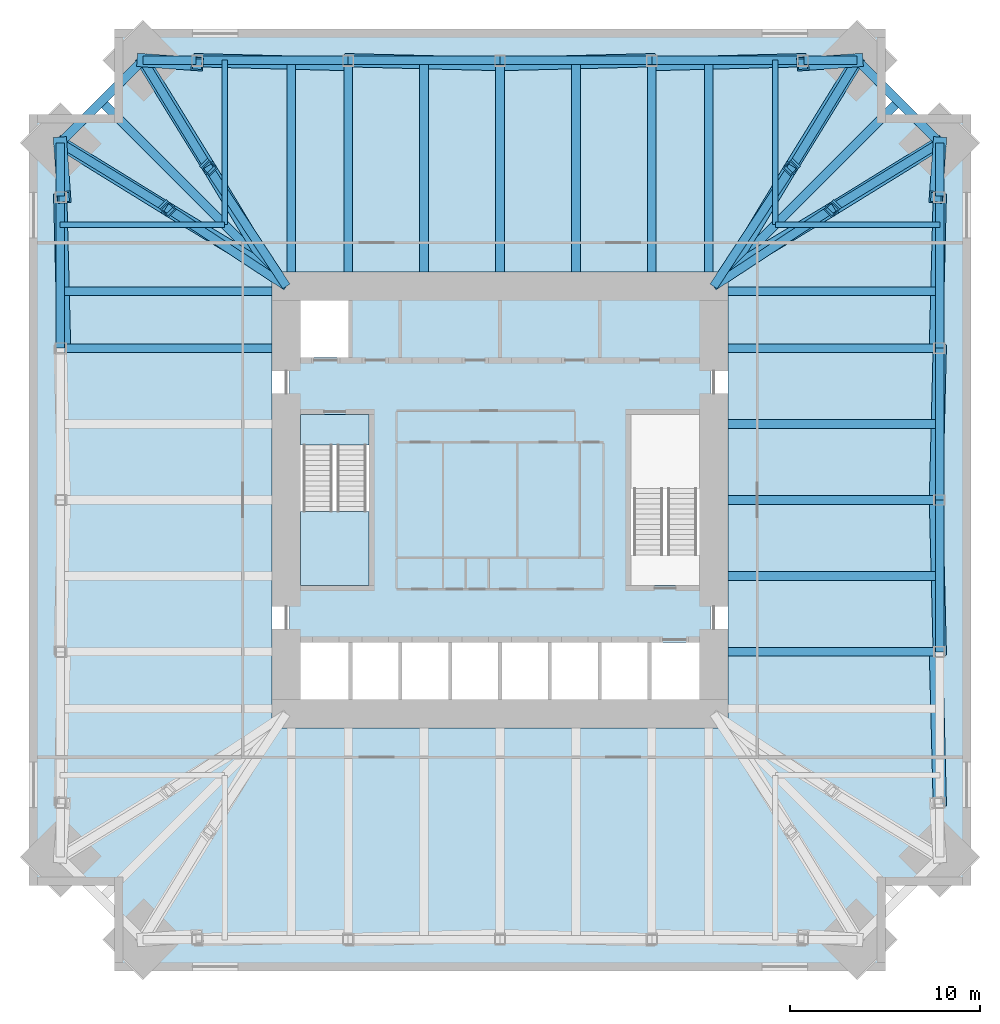
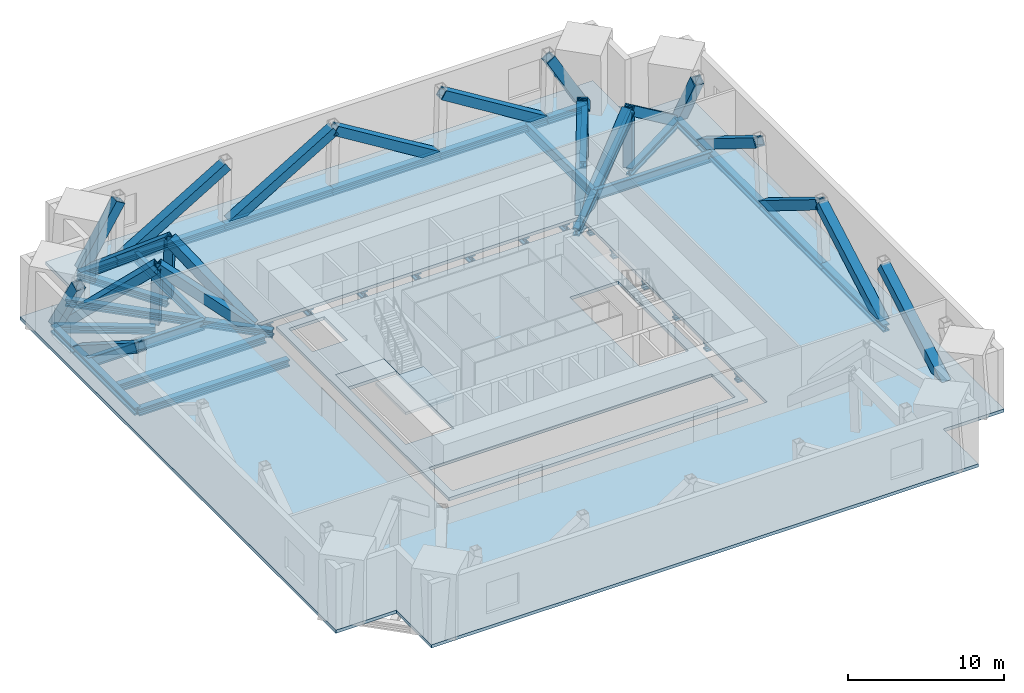
# One storey, part 2 of 6: 45 members, 23 beams, 4 slabs, 1 element without a shape of its own.
"""IFC4 building model written with IfcOpenShell, lengths in metres."""

from ifc_helpers import new_model, si_unit, direction, frame, origin, origin_2d, place, context, subcontext, project, spatial, polyline, hollow_rectangle, i_section, outline, extrude, material, layer, layer_set, material_profile, profile_set, type_object, element, aggregate, save


model = new_model("IFC4")

# Units and contexts
model_context = context("Model", 3, precision=1e-05, world=origin(), true_north=direction((0.0, 1.0)))
body_context = subcontext(model_context, "Body", "Model", "MODEL_VIEW")
ifc_project = project(units=[si_unit("LENGTHUNIT", "METRE"), si_unit("AREAUNIT", "SQUARE_METRE"), si_unit("VOLUMEUNIT", "CUBIC_METRE"), si_unit("PLANEANGLEUNIT", "RADIAN"), si_unit("MASSUNIT", "GRAM", prefix="KILO")], contexts=[model_context])

# Site, building, storey
site_placement = place(None, origin())
site = spatial("IfcSite", under=ifc_project, at=site_placement, CompositionType="ELEMENT")
building_placement = place(site_placement, origin())
building = spatial("IfcBuilding", under=site, at=building_placement, Name="Peilmerk Tower", CompositionType="ELEMENT")
storey_placement = place(building_placement, frame((0.0, 0.0, 191.800048828125)))
storey = spatial("IfcBuildingStorey", under=building, at=storey_placement, Name="L41", CompositionType="ELEMENT", Elevation=191.800048828125)

# Beams
ifc_material_1 = material(Name="Steel S460", Category="steel")
ifc_material_profile_1 = material_profile(ifc_material_1, i_section(OverallWidth=0.4541015625, OverallDepth=0.569091796875, WebThickness=0.077880859375, FlangeThickness=0.125, at=origin_2d()), Name="HD 400x1086")
ifc_profile_set_1 = profile_set([ifc_material_profile_1], Name="Steel S460")
beam_type_1 = type_object("IfcBeamType", Name="B17 HD 400x1086 edge beam", PredefinedType="SPANDREL", material=ifc_profile_set_1)
for number, where, z_axis, x_axis, name in (
    (1, (18.81298828125, 23.162841796875, -0.53466796875), (0.707106781187, -0.707106781187, 0.0), (0.707106781187, 0.707106781187, 0.0), "Notch beam L41"),
    (2, (-23.162841796875, 18.81298828125, -0.53466796875), (0.707106781187, 0.707106781187, 0.0), (-0.707106781187, 0.707106781187, 0.0), "Notch beam L41"),
):
    element("IfcBeam", number, at=place(storey_placement, frame(where, z_axis=z_axis, x_axis=x_axis)), inside=storey, type_object=beam_type_1, Name=name, PredefinedType="SPANDREL", context=body_context, shape_type="SweptSolid", body=[
        extrude(i_section(OverallWidth=0.4541015625, OverallDepth=0.569091796875, WebThickness=0.077880859375, FlangeThickness=0.125, at=origin_2d()), origin(), (0.0, 0.0, 1.0), 6.151611328125),
    ])
ifc_material_profile_2 = material_profile(ifc_material_1, i_section(OverallWidth=0.302978515625, OverallDepth=0.81396484375, WebThickness=0.02099609375, FlangeThickness=0.0400390625, at=origin_2d()), Name="HEM 800")
ifc_profile_set_2 = profile_set([ifc_material_profile_2], Name="Steel S460")
beam_type_2 = type_object("IfcBeamType", Name="B26 HEM 800 floor beam", PredefinedType="BEAM", material=ifc_profile_set_2)
for number, where, z_axis, x_axis, name in (
    (3, (14.5, 14.5, -0.656982421875), (0.0, 1.0, 0.0), (-1.0, 0.0, 0.0), "Floor beam L41"),
    (4, (14.5, 14.5, -0.656982421875), (1.0, 0.0, 0.0), (0.0, 1.0, 0.0), "Floor beam L41"),
    (5, (-14.5, 14.5, -0.656982421875), (0.0, 1.0, 0.0), (-1.0, 0.0, 0.0), "Floor beam L41"),
    (6, (-14.5, 14.5, -0.656982421875), (-1.0, 0.0, 0.0), (0.0, -1.0, 0.0), "Floor beam L41"),
):
    element("IfcBeam", number, at=place(storey_placement, frame(where, z_axis=z_axis, x_axis=x_axis)), inside=storey, type_object=beam_type_2, Name=name, PredefinedType="BEAM", context=body_context, shape_type="SweptSolid", body=[
        extrude(i_section(OverallWidth=0.302978515625, OverallDepth=0.81396484375, WebThickness=0.02099609375, FlangeThickness=0.0400390625, at=origin_2d()), origin(), (0.0, 0.0, 1.0), 8.662841796875),
    ])
ifc_material_profile_3 = material_profile(ifc_material_1, i_section(OverallWidth=0.4541015625, OverallDepth=0.569091796875, WebThickness=0.077880859375, FlangeThickness=0.125, at=origin_2d()), Name="HD 400x1086")
ifc_profile_set_3 = profile_set([ifc_material_profile_3], Name="Steel S460")
beam_type_3 = type_object("IfcBeamType", Name="B9 HD 400x1086 corner girder", PredefinedType="BEAM", material=ifc_profile_set_3)
for number, where, z_axis, x_axis, name in (
    (7, (11.0, 12.0, -0.53466796875), (0.0, 1.0, 0.0), (-1.0, 0.0, 0.0), "Floor beam L41"),
    (8, (8.0, 12.0, -0.53466796875), (0.0, 1.0, 0.0), (-1.0, 0.0, 0.0), "Floor beam L41"),
    (9, (4.0, 12.0, -0.53466796875), (0.0, 1.0, 0.0), (-1.0, 0.0, 0.0), "Floor beam L41"),
    (10, (0.0, 12.0, -0.53466796875), (0.0, 1.0, 0.0), (-1.0, 0.0, 0.0), "Floor beam L41"),
    (11, (-4.0, 12.0, -0.53466796875), (0.0, 1.0, 0.0), (-1.0, 0.0, 0.0), "Floor beam L41"),
    (12, (-8.0, 12.0, -0.53466796875), (0.0, 1.0, 0.0), (-1.0, 0.0, 0.0), "Floor beam L41"),
    (13, (-11.0, 12.0, -0.53466796875), (0.0, 1.0, 0.0), (-1.0, 0.0, 0.0), "Floor beam L41"),
    (14, (12.0, -8.0, -0.53466796875), (1.0, 0.0, 0.0), (0.0, 1.0, 0.0), "Floor beam L41"),
    (15, (12.0, -4.0, -0.53466796875), (1.0, 0.0, 0.0), (0.0, 1.0, 0.0), "Floor beam L41"),
    (16, (12.0, 0.0, -0.53466796875), (1.0, 0.0, 0.0), (0.0, 1.0, 0.0), "Floor beam L41"),
    (17, (12.0, 4.0, -0.53466796875), (1.0, 0.0, 0.0), (0.0, 1.0, 0.0), "Floor beam L41"),
    (18, (12.0, 8.0, -0.53466796875), (1.0, 0.0, 0.0), (0.0, 1.0, 0.0), "Floor beam L41"),
    (19, (12.0, 11.0, -0.53466796875), (1.0, 0.0, 0.0), (0.0, 1.0, 0.0), "Floor beam L41"),
    (20, (-12.0, 11.0, -0.53466796875), (-1.0, 0.0, 0.0), (0.0, -1.0, 0.0), "Floor beam L41"),
    (21, (-12.0, 8.0, -0.53466796875), (-1.0, 0.0, 0.0), (0.0, -1.0, 0.0), "Floor beam L41"),
):
    element("IfcBeam", number, at=place(storey_placement, frame(where, z_axis=z_axis, x_axis=x_axis)), inside=storey, type_object=beam_type_3, Name=name, PredefinedType="BEAM", context=body_context, shape_type="SweptSolid", body=[
        extrude(i_section(OverallWidth=0.4541015625, OverallDepth=0.569091796875, WebThickness=0.077880859375, FlangeThickness=0.125, at=origin_2d()), origin(), (0.0, 0.0, 1.0), 11.162841796875),
    ])
for number, where, z_axis, x_axis, name in (
    (22, (11.25, 11.25, -0.53466796875), (0.707106781187, 0.707106781187, 0.0), (-0.707106781187, 0.707106781187, 0.0), "Corner girder L41"),
    (23, (-11.25, 11.25, -0.53466796875), (-0.707106781187, 0.707106781187, 0.0), (-0.707106781187, -0.707106781187, 0.0), "Corner girder L41"),
):
    element("IfcBeam", number, at=place(storey_placement, frame(where, z_axis=z_axis, x_axis=x_axis)), inside=storey, type_object=beam_type_3, Name=name, PredefinedType="BEAM", context=body_context, shape_type="SweptSolid", body=[
        extrude(i_section(OverallWidth=0.4541015625, OverallDepth=0.569091796875, WebThickness=0.077880859375, FlangeThickness=0.125, at=origin_2d()), origin(), (0.0, 0.0, 1.0), 13.771240234375),
    ])

# Members
ifc_material_profile_4 = material_profile(ifc_material_1, i_section(OverallWidth=0.4541015625, OverallDepth=0.569091796875, WebThickness=0.077880859375, FlangeThickness=0.125, at=origin_2d()), Name="HD 400x1086")
ifc_profile_set_4 = profile_set([ifc_material_profile_4], Name="Steel S460")
member_type_1 = type_object("IfcMemberType", Name="M1 HD 400x1086 belt truss chord", PredefinedType="CHORD", material=ifc_profile_set_4)
member_1_placement = place(storey_placement, frame((18.81298828125, 23.162841796875, -0.53466796875), z_axis=(-1.0, 0.0, 0.0), x_axis=(0.0, -1.0, 0.0)))
element("IfcMember", 24, at=member_1_placement, inside=storey, type_object=member_type_1, Name="Belt truss chord L41", PredefinedType="CHORD", context=body_context, shape_type="SweptSolid", body=[
    extrude(i_section(OverallWidth=0.4541015625, OverallDepth=0.569091796875, WebThickness=0.077880859375, FlangeThickness=0.125, at=origin_2d()), origin(), (0.0, 0.0, 1.0), 2.81298828125),
])
member_2_placement = place(storey_placement, frame((15.949951171875, 23.162841796875, -0.53466796875), z_axis=(-1.0, 0.0, 0.0), x_axis=(0.0, -1.0, 0.0)))
element("IfcMember", 25, at=member_2_placement, inside=storey, type_object=member_type_1, Name="Belt truss chord L41", PredefinedType="CHORD", context=body_context, shape_type="SweptSolid", body=[
    extrude(i_section(OverallWidth=0.4541015625, OverallDepth=0.569091796875, WebThickness=0.077880859375, FlangeThickness=0.125, at=origin_2d()), origin(), (0.0, 0.0, 1.0), 7.949951171875),
])
for number, where, z_axis, x_axis, name in (
    (26, (8.0, 23.162841796875, -0.53466796875), (-1.0, 0.0, 0.0), (0.0, -1.0, 0.0), "Belt truss chord L41"),
    (27, (0.0, 23.162841796875, -0.53466796875), (-1.0, 0.0, 0.0), (0.0, -1.0, 0.0), "Belt truss chord L41"),
):
    element("IfcMember", number, at=place(storey_placement, frame(where, z_axis=z_axis, x_axis=x_axis)), inside=storey, type_object=member_type_1, Name=name, PredefinedType="CHORD", context=body_context, shape_type="SweptSolid", body=[
        extrude(i_section(OverallWidth=0.4541015625, OverallDepth=0.569091796875, WebThickness=0.077880859375, FlangeThickness=0.125, at=origin_2d()), origin(), (0.0, 0.0, 1.0), 8.0),
    ])
member_3_placement = place(storey_placement, frame((-8.0, 23.162841796875, -0.53466796875), z_axis=(-1.0, 0.0, 0.0), x_axis=(0.0, -1.0, 0.0)))
element("IfcMember", 28, at=member_3_placement, inside=storey, type_object=member_type_1, Name="Belt truss chord L41", PredefinedType="CHORD", context=body_context, shape_type="SweptSolid", body=[
    extrude(i_section(OverallWidth=0.4541015625, OverallDepth=0.569091796875, WebThickness=0.077880859375, FlangeThickness=0.125, at=origin_2d()), origin(), (0.0, 0.0, 1.0), 7.949951171875),
])
member_4_placement = place(storey_placement, frame((-16.0, 23.162841796875, -0.53466796875), z_axis=(-1.0, 0.0, 0.0), x_axis=(0.0, -1.0, 0.0)))
element("IfcMember", 29, at=member_4_placement, inside=storey, type_object=member_type_1, Name="Belt truss chord L41", PredefinedType="CHORD", context=body_context, shape_type="SweptSolid", body=[
    extrude(i_section(OverallWidth=0.4541015625, OverallDepth=0.569091796875, WebThickness=0.077880859375, FlangeThickness=0.125, at=origin_2d()), origin(), (0.0, 0.0, 1.0), 2.81298828125),
])
for number, where, z_axis, x_axis, name in (
    (30, (23.162841796875, -8.0, -0.53466796875), (0.0, 1.0, 0.0), (-1.0, 0.0, 0.0), "Belt truss chord L41"),
    (31, (23.162841796875, 0.0, -0.53466796875), (0.0, 1.0, 0.0), (-1.0, 0.0, 0.0), "Belt truss chord L41"),
):
    element("IfcMember", number, at=place(storey_placement, frame(where, z_axis=z_axis, x_axis=x_axis)), inside=storey, type_object=member_type_1, Name=name, PredefinedType="CHORD", context=body_context, shape_type="SweptSolid", body=[
        extrude(i_section(OverallWidth=0.4541015625, OverallDepth=0.569091796875, WebThickness=0.077880859375, FlangeThickness=0.125, at=origin_2d()), origin(), (0.0, 0.0, 1.0), 8.0),
    ])
member_5_placement = place(storey_placement, frame((23.162841796875, 8.0, -0.53466796875), z_axis=(0.0, 1.0, 0.0), x_axis=(-1.0, 0.0, 0.0)))
element("IfcMember", 32, at=member_5_placement, inside=storey, type_object=member_type_1, Name="Belt truss chord L41", PredefinedType="CHORD", context=body_context, shape_type="SweptSolid", body=[
    extrude(i_section(OverallWidth=0.4541015625, OverallDepth=0.569091796875, WebThickness=0.077880859375, FlangeThickness=0.125, at=origin_2d()), origin(), (0.0, 0.0, 1.0), 7.949951171875),
])
for number, where, z_axis, x_axis, name in (
    (33, (23.162841796875, 16.0, -0.53466796875), (0.0, 1.0, 0.0), (-1.0, 0.0, 0.0), "Belt truss chord L41"),
    (34, (-23.162841796875, 18.81298828125, -0.53466796875), (0.0, -1.0, 0.0), (1.0, 0.0, 0.0), "Belt truss chord L41"),
):
    element("IfcMember", number, at=place(storey_placement, frame(where, z_axis=z_axis, x_axis=x_axis)), inside=storey, type_object=member_type_1, Name=name, PredefinedType="CHORD", context=body_context, shape_type="SweptSolid", body=[
        extrude(i_section(OverallWidth=0.4541015625, OverallDepth=0.569091796875, WebThickness=0.077880859375, FlangeThickness=0.125, at=origin_2d()), origin(), (0.0, 0.0, 1.0), 2.81298828125),
    ])
member_6_placement = place(storey_placement, frame((-23.162841796875, 15.949951171875, -0.53466796875), z_axis=(0.0, -1.0, 0.0), x_axis=(1.0, 0.0, 0.0)))
element("IfcMember", 35, at=member_6_placement, inside=storey, type_object=member_type_1, Name="Belt truss chord L41", PredefinedType="CHORD", context=body_context, shape_type="SweptSolid", body=[
    extrude(i_section(OverallWidth=0.4541015625, OverallDepth=0.569091796875, WebThickness=0.077880859375, FlangeThickness=0.125, at=origin_2d()), origin(), (0.0, 0.0, 1.0), 7.949951171875),
])
member_7_placement = place(storey_placement, frame((11.25, 11.25, -0.53466796875), z_axis=(0.83596195736, 0.548787395853, 0.0), x_axis=(-0.548787395853, 0.83596195736, 0.0)))
element("IfcMember", 36, at=member_7_placement, inside=storey, type_object=member_type_1, Name="Outrigger chord T2 NE", PredefinedType="CHORD", context=body_context, shape_type="SweptSolid", body=[
    extrude(i_section(OverallWidth=0.4541015625, OverallDepth=0.569091796875, WebThickness=0.077880859375, FlangeThickness=0.125, at=origin_2d()), origin(), (0.0, 0.0, 1.0), 7.573974609375),
])
member_8_placement = place(storey_placement, frame((17.58154296875, 15.406494140625, -0.53466796875), z_axis=(0.853574274891, 0.520971167383, 0.0), x_axis=(-0.520971167383, 0.853574274891, 0.0)))
element("IfcMember", 37, at=member_8_placement, inside=storey, type_object=member_type_1, Name="Outrigger chord T2 NE", PredefinedType="CHORD", context=body_context, shape_type="SweptSolid", body=[
    extrude(i_section(OverallWidth=0.4541015625, OverallDepth=0.569091796875, WebThickness=0.077880859375, FlangeThickness=0.125, at=origin_2d()), origin(), (0.0, 0.0, 1.0), 6.538818359375),
])
member_9_placement = place(storey_placement, frame((11.25, 11.25, -0.53466796875), z_axis=(0.548787395853, 0.83596195736, 0.0), x_axis=(-0.83596195736, 0.548787395853, 0.0)))
element("IfcMember", 38, at=member_9_placement, inside=storey, type_object=member_type_1, Name="Outrigger chord T2 NE", PredefinedType="CHORD", context=body_context, shape_type="SweptSolid", body=[
    extrude(i_section(OverallWidth=0.4541015625, OverallDepth=0.569091796875, WebThickness=0.077880859375, FlangeThickness=0.125, at=origin_2d()), origin(), (0.0, 0.0, 1.0), 7.573974609375),
])
member_10_placement = place(storey_placement, frame((15.406494140625, 17.58154296875, -0.53466796875), z_axis=(0.520971167383, 0.853574274891, 0.0), x_axis=(-0.853574274891, 0.520971167383, 0.0)))
element("IfcMember", 39, at=member_10_placement, inside=storey, type_object=member_type_1, Name="Outrigger chord T2 NE", PredefinedType="CHORD", context=body_context, shape_type="SweptSolid", body=[
    extrude(i_section(OverallWidth=0.4541015625, OverallDepth=0.569091796875, WebThickness=0.077880859375, FlangeThickness=0.125, at=origin_2d()), origin(), (0.0, 0.0, 1.0), 6.538818359375),
])
member_11_placement = place(storey_placement, frame((-11.25, 11.25, -0.53466796875), z_axis=(-0.548787395853, 0.83596195736, 0.0), x_axis=(-0.83596195736, -0.548787395853, 0.0)))
element("IfcMember", 40, at=member_11_placement, inside=storey, type_object=member_type_1, Name="Outrigger chord T2 NW", PredefinedType="CHORD", context=body_context, shape_type="SweptSolid", body=[
    extrude(i_section(OverallWidth=0.4541015625, OverallDepth=0.569091796875, WebThickness=0.077880859375, FlangeThickness=0.125, at=origin_2d()), origin(), (0.0, 0.0, 1.0), 7.573974609375),
])
member_12_placement = place(storey_placement, frame((-15.406494140625, 17.58154296875, -0.53466796875), z_axis=(-0.520971167383, 0.853574274891, 0.0), x_axis=(-0.853574274891, -0.520971167383, 0.0)))
element("IfcMember", 41, at=member_12_placement, inside=storey, type_object=member_type_1, Name="Outrigger chord T2 NW", PredefinedType="CHORD", context=body_context, shape_type="SweptSolid", body=[
    extrude(i_section(OverallWidth=0.4541015625, OverallDepth=0.569091796875, WebThickness=0.077880859375, FlangeThickness=0.125, at=origin_2d()), origin(), (0.0, 0.0, 1.0), 6.538818359375),
])
member_13_placement = place(storey_placement, frame((-11.25, 11.25, -0.53466796875), z_axis=(-0.83596195736, 0.548787395853, 0.0), x_axis=(-0.548787395853, -0.83596195736, 0.0)))
element("IfcMember", 42, at=member_13_placement, inside=storey, type_object=member_type_1, Name="Outrigger chord T2 NW", PredefinedType="CHORD", context=body_context, shape_type="SweptSolid", body=[
    extrude(i_section(OverallWidth=0.4541015625, OverallDepth=0.569091796875, WebThickness=0.077880859375, FlangeThickness=0.125, at=origin_2d()), origin(), (0.0, 0.0, 1.0), 7.573974609375),
])
member_14_placement = place(storey_placement, frame((-17.58154296875, 15.406494140625, -0.53466796875), z_axis=(-0.853574274891, 0.520971167383, 0.0), x_axis=(-0.520971167383, -0.853574274891, 0.0)))
element("IfcMember", 43, at=member_14_placement, inside=storey, type_object=member_type_1, Name="Outrigger chord T2 NW", PredefinedType="CHORD", context=body_context, shape_type="SweptSolid", body=[
    extrude(i_section(OverallWidth=0.4541015625, OverallDepth=0.569091796875, WebThickness=0.077880859375, FlangeThickness=0.125, at=origin_2d()), origin(), (0.0, 0.0, 1.0), 6.538818359375),
])
ifc_material_profile_5 = material_profile(ifc_material_1, hollow_rectangle(XDim=0.60009765625, YDim=0.60009765625, WallThickness=0.06005859375, at=origin_2d()), Name="BOX 600x600x60")
ifc_profile_set_5 = profile_set([ifc_material_profile_5], Name="Steel S460")
member_type_2 = type_object("IfcMemberType", Name="M3 BOX 600x600x60 outrigger post", PredefinedType="POST", material=ifc_profile_set_5)
for number, where, z_axis, x_axis, name in (
    (44, (17.58154296875, 15.406494140625, -0.53466796875), (-0.020157819747, -0.020157819747, 0.999593579714), (0.707106781187, -0.707106781187, 0.0), "Outrigger post T2 NE"),
    (45, (15.406494140625, 17.58154296875, -0.53466796875), (-0.020157819747, -0.020157819747, 0.999593579714), (0.707106781187, -0.707106781187, 0.0), "Outrigger post T2 NE"),
    (46, (-15.406494140625, 17.58154296875, -0.53466796875), (0.020157819747, -0.020157819747, 0.999593579714), (0.707106781187, 0.707106781187, 0.0), "Outrigger post T2 NW"),
    (47, (-17.58154296875, 15.406494140625, -0.53466796875), (0.020157819747, -0.020157819747, 0.999593579714), (0.707106781187, 0.707106781187, 0.0), "Outrigger post T2 NW"),
):
    element("IfcMember", number, at=place(storey_placement, frame(where, z_axis=z_axis, x_axis=x_axis)), inside=storey, type_object=member_type_2, Name=name, PredefinedType="POST", context=body_context, shape_type="SweptSolid", body=[
        extrude(hollow_rectangle(XDim=0.60009765625, YDim=0.60009765625, WallThickness=0.06005859375, at=origin_2d()), origin(), (0.0, 0.0, 1.0), 5.001953125),
    ])
ifc_material_profile_6 = material_profile(ifc_material_1, hollow_rectangle(XDim=0.699951171875, YDim=0.699951171875, WallThickness=0.080078125, at=origin_2d()), Name="BOX 700x700x80")
ifc_profile_set_6 = profile_set([ifc_material_profile_6], Name="Steel S460")
member_type_3 = type_object("IfcMemberType", Name="M4 BOX 700x700x80 outrigger diagonal", PredefinedType="BRACE", material=ifc_profile_set_6)
member_15_placement = place(storey_placement, frame((18.81298828125, 23.162841796875, -0.53466796875), z_axis=(-0.496605852134, -0.034978803945, 0.867271071177), x_axis=(0.070261671301, -0.997528594851, 0.0)))
element("IfcMember", 48, at=member_15_placement, inside=storey, type_object=member_type_3, Name="Belt truss diagonal T2 N", PredefinedType="BRACE", context=body_context, shape_type="SweptSolid", body=[
    extrude(hollow_rectangle(XDim=0.699951171875, YDim=0.699951171875, WallThickness=0.080078125, at=origin_2d()), origin(), (0.0, 0.0, 1.0), 5.76513671875),
])
member_16_placement = place(storey_placement, frame((15.949951171875, 23.162841796875, -0.53466796875), z_axis=(-0.846302899919, -0.02146749978, 0.532269243938), x_axis=(0.025358056244, -0.999678432789, 0.0)))
element("IfcMember", 49, at=member_16_placement, inside=storey, type_object=member_type_3, Name="Belt truss diagonal T2 N", PredefinedType="BRACE", context=body_context, shape_type="SweptSolid", body=[
    extrude(hollow_rectangle(XDim=0.699951171875, YDim=0.699951171875, WallThickness=0.080078125, at=origin_2d()), origin(), (0.0, 0.0, 1.0), 9.393798828125),
])
for number, where, z_axis, x_axis, name in (
    (50, (8.0, 23.162841796875, -0.53466796875), (-0.847804632209, -0.021371051825, 0.529877895131), (0.025199514677, -0.999682441808, 0.0), "Belt truss diagonal T2 N"),
    (51, (-8.0, 23.162841796875, -0.53466796875), (0.847804632209, -0.021371051825, 0.529877895131), (0.025199514677, 0.999682441808, 0.0), "Belt truss diagonal T2 N"),
):
    element("IfcMember", number, at=place(storey_placement, frame(where, z_axis=z_axis, x_axis=x_axis)), inside=storey, type_object=member_type_3, Name=name, PredefinedType="BRACE", context=body_context, shape_type="SweptSolid", body=[
        extrude(hollow_rectangle(XDim=0.699951171875, YDim=0.699951171875, WallThickness=0.080078125, at=origin_2d()), origin(), (0.0, 0.0, 1.0), 9.43603515625),
    ])
member_17_placement = place(storey_placement, frame((-15.949951171875, 23.162841796875, -0.53466796875), z_axis=(0.846302899919, -0.02146749978, 0.532269243938), x_axis=(0.025358056244, 0.999678432789, 0.0)))
element("IfcMember", 52, at=member_17_placement, inside=storey, type_object=member_type_3, Name="Belt truss diagonal T2 N", PredefinedType="BRACE", context=body_context, shape_type="SweptSolid", body=[
    extrude(hollow_rectangle(XDim=0.699951171875, YDim=0.699951171875, WallThickness=0.080078125, at=origin_2d()), origin(), (0.0, 0.0, 1.0), 9.393798828125),
])
member_18_placement = place(storey_placement, frame((-18.81298828125, 23.162841796875, -0.53466796875), z_axis=(0.496605852134, -0.034978803945, 0.867271071177), x_axis=(0.070261671301, 0.997528594851, 0.0)))
element("IfcMember", 53, at=member_18_placement, inside=storey, type_object=member_type_3, Name="Belt truss diagonal T2 N", PredefinedType="BRACE", context=body_context, shape_type="SweptSolid", body=[
    extrude(hollow_rectangle(XDim=0.699951171875, YDim=0.699951171875, WallThickness=0.080078125, at=origin_2d()), origin(), (0.0, 0.0, 1.0), 5.76513671875),
])
member_19_placement = place(storey_placement, frame((23.162841796875, -15.949951171875, -0.53466796875), z_axis=(-0.02146749978, 0.846302899919, 0.532269243938), x_axis=(-0.999678432789, -0.025358056244, 0.0)))
element("IfcMember", 54, at=member_19_placement, inside=storey, type_object=member_type_3, Name="Belt truss diagonal T2 E", PredefinedType="BRACE", context=body_context, shape_type="SweptSolid", body=[
    extrude(hollow_rectangle(XDim=0.699951171875, YDim=0.699951171875, WallThickness=0.080078125, at=origin_2d()), origin(), (0.0, 0.0, 1.0), 9.393798828125),
])
for number, where, z_axis, x_axis, name in (
    (55, (23.162841796875, -8.0, -0.53466796875), (-0.021371051825, 0.847804632209, 0.529877895131), (-0.999682441808, -0.025199514677, 0.0), "Belt truss diagonal T2 E"),
    (56, (23.162841796875, 8.0, -0.53466796875), (-0.021371051825, -0.847804632209, 0.529877895131), (0.999682441808, -0.025199514677, 0.0), "Belt truss diagonal T2 E"),
):
    element("IfcMember", number, at=place(storey_placement, frame(where, z_axis=z_axis, x_axis=x_axis)), inside=storey, type_object=member_type_3, Name=name, PredefinedType="BRACE", context=body_context, shape_type="SweptSolid", body=[
        extrude(hollow_rectangle(XDim=0.699951171875, YDim=0.699951171875, WallThickness=0.080078125, at=origin_2d()), origin(), (0.0, 0.0, 1.0), 9.43603515625),
    ])
member_20_placement = place(storey_placement, frame((23.162841796875, 15.949951171875, -0.53466796875), z_axis=(-0.02146749978, -0.846302899919, 0.532269243938), x_axis=(0.999678432789, -0.025358056244, 0.0)))
element("IfcMember", 57, at=member_20_placement, inside=storey, type_object=member_type_3, Name="Belt truss diagonal T2 E", PredefinedType="BRACE", context=body_context, shape_type="SweptSolid", body=[
    extrude(hollow_rectangle(XDim=0.699951171875, YDim=0.699951171875, WallThickness=0.080078125, at=origin_2d()), origin(), (0.0, 0.0, 1.0), 9.393798828125),
])
for number, where, z_axis, x_axis, name in (
    (58, (23.162841796875, 18.81298828125, -0.53466796875), (-0.034978803945, -0.496605852134, 0.867271071177), (0.997528594851, -0.070261671301, 0.0), "Belt truss diagonal T2 E"),
    (59, (-23.162841796875, 18.81298828125, -0.53466796875), (0.034978803945, -0.496605852134, 0.867271071177), (0.997528594851, 0.070261671301, 0.0), "Belt truss diagonal T2 W"),
):
    element("IfcMember", number, at=place(storey_placement, frame(where, z_axis=z_axis, x_axis=x_axis)), inside=storey, type_object=member_type_3, Name=name, PredefinedType="BRACE", context=body_context, shape_type="SweptSolid", body=[
        extrude(hollow_rectangle(XDim=0.699951171875, YDim=0.699951171875, WallThickness=0.080078125, at=origin_2d()), origin(), (0.0, 0.0, 1.0), 5.76513671875),
    ])
member_21_placement = place(storey_placement, frame((-23.162841796875, 15.949951171875, -0.53466796875), z_axis=(0.02146749978, -0.846302899919, 0.532269243938), x_axis=(0.999678432789, 0.025358056244, 0.0)))
element("IfcMember", 60, at=member_21_placement, inside=storey, type_object=member_type_3, Name="Belt truss diagonal T2 W", PredefinedType="BRACE", context=body_context, shape_type="SweptSolid", body=[
    extrude(hollow_rectangle(XDim=0.699951171875, YDim=0.699951171875, WallThickness=0.080078125, at=origin_2d()), origin(), (0.0, 0.0, 1.0), 9.393798828125),
])
member_22_placement = place(storey_placement, frame((12.0, 12.0, -0.53466796875), z_axis=(0.67480485582, 0.407005111488, 0.615617775722), x_axis=(-0.51647452427, 0.856302555047, 0.0)))
element("IfcMember", 61, at=member_22_placement, inside=storey, type_object=member_type_3, Name="Outrigger diagonal T2", PredefinedType="BRACE", context=body_context, shape_type="SweptSolid", body=[
    extrude(hollow_rectangle(XDim=0.699951171875, YDim=0.699951171875, WallThickness=0.080078125, at=origin_2d()), origin(), (0.0, 0.0, 1.0), 8.121826171875),
])
member_23_placement = place(storey_placement, frame((23.162841796875, 18.81298828125, -0.53466796875), z_axis=(-0.681152224011, -0.420444824703, 0.599381178471), x_axis=(0.52525155411, -0.850947004757, 0.0)))
element("IfcMember", 62, at=member_23_placement, inside=storey, type_object=member_type_3, Name="Outrigger diagonal T2", PredefinedType="BRACE", context=body_context, shape_type="SweptSolid", body=[
    extrude(hollow_rectangle(XDim=0.699951171875, YDim=0.699951171875, WallThickness=0.080078125, at=origin_2d()), origin(), (0.0, 0.0, 1.0), 8.342041015625),
])
member_24_placement = place(storey_placement, frame((12.0, 12.0, -0.53466796875), z_axis=(0.407005111488, 0.67480485582, 0.615617775722), x_axis=(-0.856302555047, 0.51647452427, 0.0)))
element("IfcMember", 63, at=member_24_placement, inside=storey, type_object=member_type_3, Name="Outrigger diagonal T2", PredefinedType="BRACE", context=body_context, shape_type="SweptSolid", body=[
    extrude(hollow_rectangle(XDim=0.699951171875, YDim=0.699951171875, WallThickness=0.080078125, at=origin_2d()), origin(), (0.0, 0.0, 1.0), 8.121826171875),
])
member_25_placement = place(storey_placement, frame((18.81298828125, 23.162841796875, -0.53466796875), z_axis=(-0.420444824703, -0.681152224011, 0.599381178471), x_axis=(0.850947004757, -0.52525155411, 0.0)))
element("IfcMember", 64, at=member_25_placement, inside=storey, type_object=member_type_3, Name="Outrigger diagonal T2", PredefinedType="BRACE", context=body_context, shape_type="SweptSolid", body=[
    extrude(hollow_rectangle(XDim=0.699951171875, YDim=0.699951171875, WallThickness=0.080078125, at=origin_2d()), origin(), (0.0, 0.0, 1.0), 8.342041015625),
])
member_26_placement = place(storey_placement, frame((-12.0, 12.0, -0.53466796875), z_axis=(-0.407005111488, 0.67480485582, 0.615617775722), x_axis=(-0.856302555047, -0.51647452427, 0.0)))
element("IfcMember", 65, at=member_26_placement, inside=storey, type_object=member_type_3, Name="Outrigger diagonal T2", PredefinedType="BRACE", context=body_context, shape_type="SweptSolid", body=[
    extrude(hollow_rectangle(XDim=0.699951171875, YDim=0.699951171875, WallThickness=0.080078125, at=origin_2d()), origin(), (0.0, 0.0, 1.0), 8.121826171875),
])
member_27_placement = place(storey_placement, frame((-18.81298828125, 23.162841796875, -0.53466796875), z_axis=(0.420444824703, -0.681152224011, 0.599381178471), x_axis=(0.850947004757, 0.52525155411, 0.0)))
element("IfcMember", 66, at=member_27_placement, inside=storey, type_object=member_type_3, Name="Outrigger diagonal T2", PredefinedType="BRACE", context=body_context, shape_type="SweptSolid", body=[
    extrude(hollow_rectangle(XDim=0.699951171875, YDim=0.699951171875, WallThickness=0.080078125, at=origin_2d()), origin(), (0.0, 0.0, 1.0), 8.342041015625),
])
member_28_placement = place(storey_placement, frame((-12.0, 12.0, -0.53466796875), z_axis=(-0.67480485582, 0.407005111488, 0.615617775722), x_axis=(-0.51647452427, -0.856302555047, 0.0)))
element("IfcMember", 67, at=member_28_placement, inside=storey, type_object=member_type_3, Name="Outrigger diagonal T2", PredefinedType="BRACE", context=body_context, shape_type="SweptSolid", body=[
    extrude(hollow_rectangle(XDim=0.699951171875, YDim=0.699951171875, WallThickness=0.080078125, at=origin_2d()), origin(), (0.0, 0.0, 1.0), 8.121826171875),
])
member_29_placement = place(storey_placement, frame((-23.162841796875, 18.81298828125, -0.53466796875), z_axis=(0.681152224011, -0.420444824703, 0.599381178471), x_axis=(0.52525155411, 0.850947004757, 0.0)))
element("IfcMember", 68, at=member_29_placement, inside=storey, type_object=member_type_3, Name="Outrigger diagonal T2", PredefinedType="BRACE", context=body_context, shape_type="SweptSolid", body=[
    extrude(hollow_rectangle(XDim=0.699951171875, YDim=0.699951171875, WallThickness=0.080078125, at=origin_2d()), origin(), (0.0, 0.0, 1.0), 8.342041015625),
])

# Slabs
ifc_material_2 = material(Name="Concrete C55/67", Category="concrete")
ifc_layer_1 = layer(ifc_material_2, 0.25)
ifc_layer_set_1 = layer_set([ifc_layer_1], Name="Concrete C55/67")
slab_type_1 = type_object("IfcSlabType", Name="CS250 250 core floor slab", PredefinedType="FLOOR", material=ifc_layer_set_1)
slab_1_placement = place(storey_placement, frame((0.0, 0.0, -0.25)))
element("IfcSlab", 69, at=slab_1_placement, inside=storey, type_object=slab_type_1, Name="Core slab L41", PredefinedType="FLOOR", context=body_context, shape_type="SweptSolid", body=[
    extrude(outline(polyline([(11.10009765625, 11.10009765625), (-11.10009765625, 11.10009765625), (-11.10009765625, -11.10009765625), (11.10009765625, -11.10009765625), (11.10009765625, 11.10009765625)]), holes=[polyline([(-10.5, 7.5), (-10.5, 10.5), (-7.875, 10.5), (-7.875, 7.5), (-10.5, 7.5)]), polyline([(-10.5, -10.5), (-10.5, -7.5), (10.5, -7.5), (10.5, -10.5), (-10.5, -10.5)]), polyline([(-10.5, 4.5), (-6.89990234375, 4.5), (-6.89990234375, -4.5), (-10.5, -4.5), (-10.5, 4.5)]), polyline([(10.5, 4.5), (10.5, -4.5), (6.89990234375, -4.5), (6.89990234375, 4.5), (10.5, 4.5)])]), origin(), (0.0, 0.0, 1.0), 0.25),
])
ifc_material_3 = material(Name="Concrete C35/45", Category="concrete")
ifc_layer_2 = layer(ifc_material_3, 0.25)
ifc_layer_set_2 = layer_set([ifc_layer_2], Name="Concrete C35/45")
slab_type_2 = type_object("IfcSlabType", Name="FS250 250 composite floor slab", PredefinedType="FLOOR", material=ifc_layer_set_2)
slab_2_placement = place(storey_placement, frame((0.0, 0.0, -0.25)))
element("IfcSlab", 70, at=slab_2_placement, inside=storey, type_object=slab_type_2, Name="Floor slab L41", PredefinedType="FLOOR", context=body_context, shape_type="SweptSolid", body=[
    extrude(outline(polyline([(-20.300048828125, -24.800048828125), (20.300048828125, -24.800048828125), (20.300048828125, -20.300048828125), (24.800048828125, -20.300048828125), (24.800048828125, 20.300048828125), (20.300048828125, 20.300048828125), (20.300048828125, 24.800048828125), (-20.300048828125, 24.800048828125), (-20.300048828125, 20.300048828125), (-24.800048828125, 20.300048828125), (-24.800048828125, -20.300048828125), (-20.300048828125, -20.300048828125), (-20.300048828125, -24.800048828125)]), holes=[polyline([(12.0, 12.0), (12.0, -12.0), (-12.0, -12.0), (-12.0, 12.0), (12.0, 12.0)])]), origin(), (0.0, 0.0, 1.0), 0.25),
])

# Stair, slabs
ifc_material_4 = material(Name="Precast concrete C45/55", Category="concrete")
stair_type = type_object("IfcStairType", Name="ST1 28 risers of 178.6", PredefinedType="HALF_TURN_STAIR", material=ifc_material_4)
stair_placement = place(storey_placement, origin())
stair = element("IfcStair", 71, at=stair_placement, inside=storey, type_object=stair_type, Name="Stair 1 L41 to L42", PredefinedType="HALF_TURN_STAIR")
ifc_layer_3 = layer(ifc_material_3, 0.199951171875)
ifc_layer_set_3 = layer_set([ifc_layer_3], Name="Concrete C35/45")
slab_type_3 = type_object("IfcSlabType", Name="SL1 200 concrete stair landing", PredefinedType="LANDING", material=ifc_layer_set_3)
slab_3_placement = place(storey_placement, frame((0.0, 0.0, 2.300048828125)))
slab_3 = element("IfcSlab", 72, at=slab_3_placement, type_object=slab_type_3, Name="ST1 landing 1", PredefinedType="LANDING", context=body_context, shape_type="SweptSolid", body=[
    extrude(outline(polyline([(-10.5, -4.5), (-6.89990234375, -4.5), (-6.89990234375, -0.610107421875), (-10.5, -0.610107421875), (-10.5, -4.5)])), origin(), (0.0, 0.0, 1.0), 0.199951171875),
])
ifc_layer_4 = layer(ifc_material_3, 0.25)
ifc_layer_set_4 = layer_set([ifc_layer_4], Name="Concrete C35/45")
slab_type_4 = type_object("IfcSlabType", Name="SL2 250 concrete floor landing", PredefinedType="LANDING", material=ifc_layer_set_4)
slab_4_placement = place(storey_placement, frame((0.0, 0.0, -0.25)))
slab_4 = element("IfcSlab", 73, at=slab_4_placement, type_object=slab_type_4, Name="ST1 floor landing", PredefinedType="LANDING", context=body_context, shape_type="SweptSolid", body=[
    extrude(outline(polyline([(-10.5, 2.89990234375), (-6.89990234375, 2.89990234375), (-6.89990234375, 4.5), (-10.5, 4.5), (-10.5, 2.89990234375)])), origin(), (0.0, 0.0, 1.0), 0.25),
])
aggregate(stair, [slab_3, slab_4])

save(model, "model.ifc")
